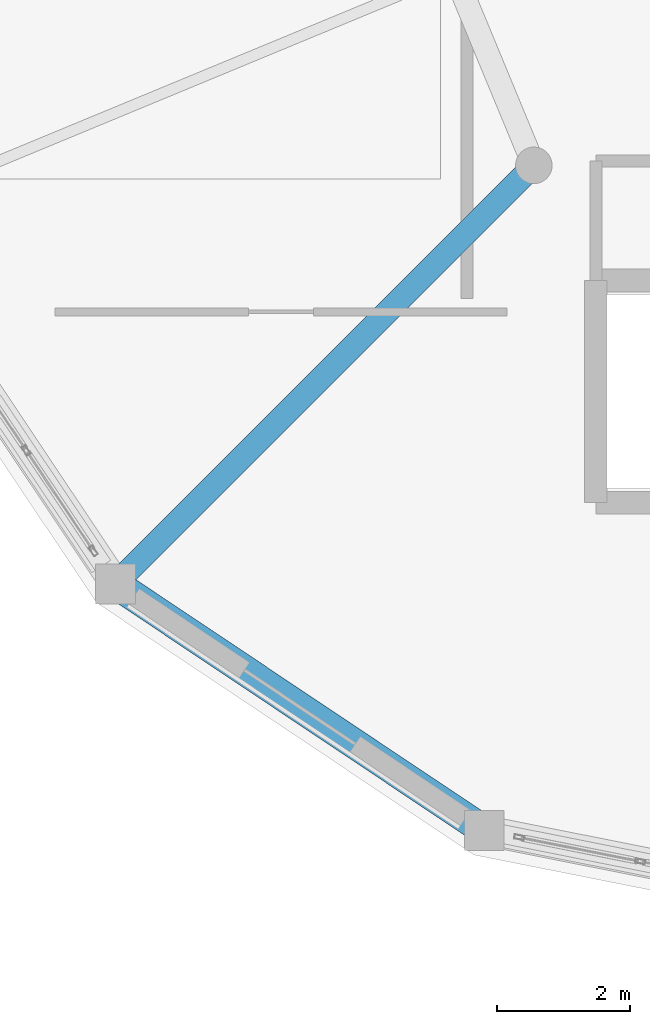
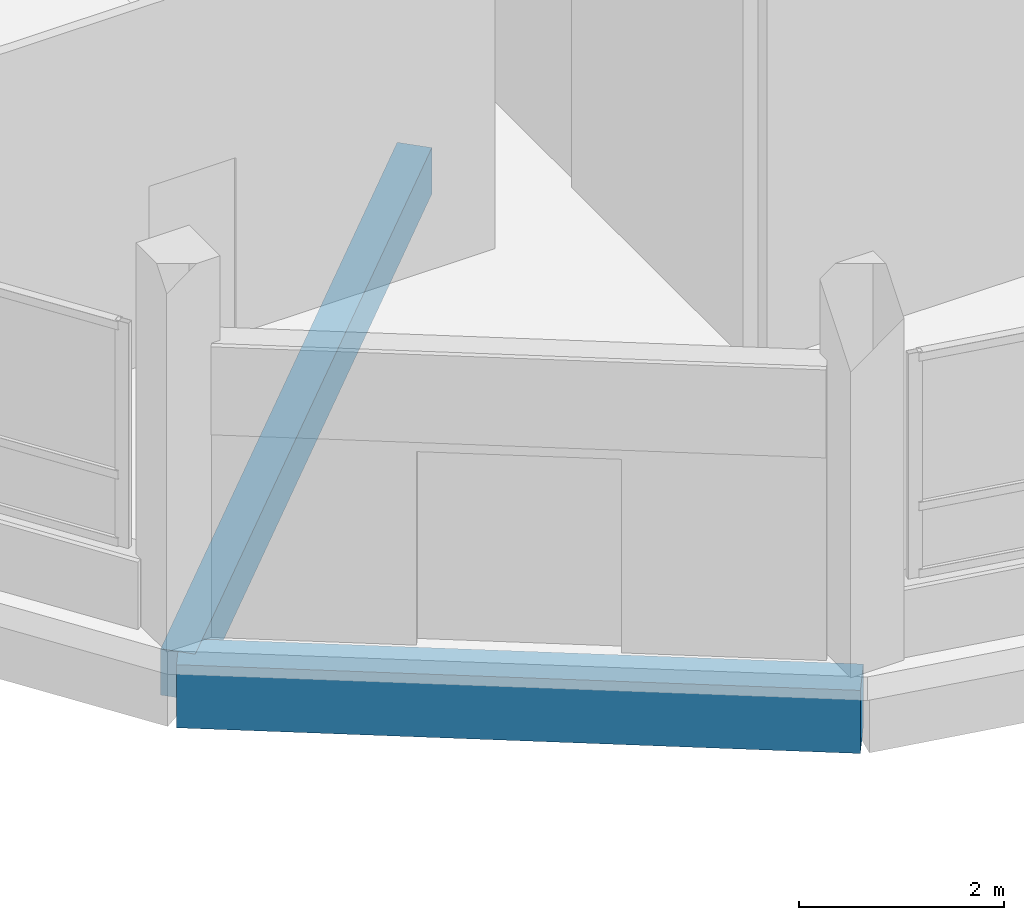
# One storey, part 66 of 129: 2 beams.
"""IFC4 building model written with IfcOpenShell, lengths in metres."""

from ifc_helpers import new_model, si_unit, direction, frame, origin, origin_2d, place, context, subcontext, project, spatial, rectangle, extrude, material, material_profile, profile_set, type_object, element, save


model = new_model("IFC4")

# Units and contexts
model_context = context("Model", 3, precision=1e-05, world=origin(), true_north=direction((0.0, 1.0)))
body_context = subcontext(model_context, "Body", "Model", "MODEL_VIEW")
ifc_project = project(units=[si_unit("LENGTHUNIT", "METRE"), si_unit("AREAUNIT", "SQUARE_METRE"), si_unit("VOLUMEUNIT", "CUBIC_METRE"), si_unit("PLANEANGLEUNIT", "RADIAN"), si_unit("MASSUNIT", "GRAM", prefix="KILO")], contexts=[model_context])

# Site, building, storey
site_placement = place(None, origin())
site = spatial("IfcSite", under=ifc_project, at=site_placement, CompositionType="ELEMENT")
building_placement = place(site_placement, origin())
building = spatial("IfcBuilding", under=site, at=building_placement, Name="Vespera Passage Community Centre", CompositionType="ELEMENT")
storey_placement = place(building_placement, origin())
storey = spatial("IfcBuildingStorey", under=building, at=storey_placement, Name="L00", CompositionType="ELEMENT", Elevation=0.0)

# Beams
ifc_material_1 = material(Name="Concrete f'c 35 MPa", Category="concrete")
ifc_material_profile_1 = material_profile(ifc_material_1, rectangle(XDim=0.35009765625, YDim=0.550048828125, at=origin_2d()), Name="RC350X550")
ifc_profile_set_1 = profile_set([ifc_material_profile_1], Name="Concrete f'c 35 MPa")
beam_type_1 = type_object("IfcBeamType", Name="BM-J-350X550", PredefinedType="JOIST", material=ifc_profile_set_1)
beam_1_placement = place(storey_placement, frame((135.20166015625, 19.20166015625, -0.554931640625), z_axis=(-0.707106781187, -0.707106781187, 0.0), x_axis=(0.707106781187, -0.707106781187, 0.0)))
element("IfcBeam", 1, at=beam_1_placement, inside=storey, type_object=beam_type_1, Name="V3 L00 Radial Girder 6", PredefinedType="JOIST", context=body_context, shape_type="SweptSolid", body=[
    extrude(rectangle(XDim=0.35009765625, YDim=0.550048828125, at=origin_2d()), origin(), (0.0, 0.0, 1.0), 8.89990234375),
])
ifc_material_2 = material(Name="Concrete f'c 35 MPa", Category="concrete")
ifc_material_profile_2 = material_profile(ifc_material_2, rectangle(XDim=0.449951171875, YDim=0.75, at=origin_2d()), Name="RC450X750")
ifc_profile_set_2 = profile_set([ifc_material_profile_2], Name="Concrete f'c 35 MPa")
beam_type_2 = type_object("IfcBeamType", Name="BM-SP-450X750E", PredefinedType="SPANDREL", material=ifc_profile_set_2)
beam_2_placement = place(storey_placement, frame((128.908447265625, 12.908447265625, -0.655029296875), z_axis=(0.831470004276, -0.55556964639, 0.0), x_axis=(0.55556964639, 0.831470004276, 0.0)))
element("IfcBeam", 2, at=beam_2_placement, inside=storey, type_object=beam_type_2, Name="V3 L00 Spandrel 11", PredefinedType="SPANDREL", context=body_context, shape_type="SweptSolid", body=[
    extrude(rectangle(XDim=0.449951171875, YDim=0.75, at=origin_2d()), origin(), (0.0, 0.0, 1.0), 6.672119140625),
])

save(model, "model.ifc")
